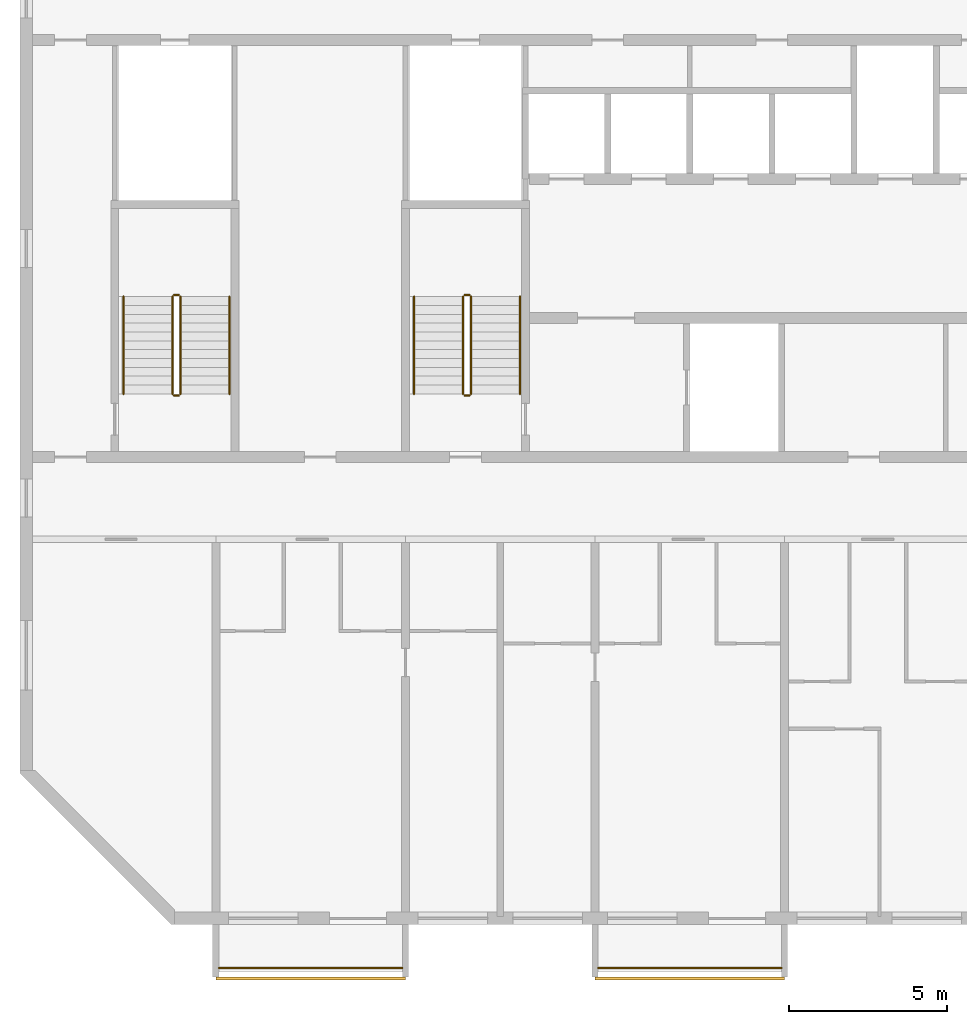
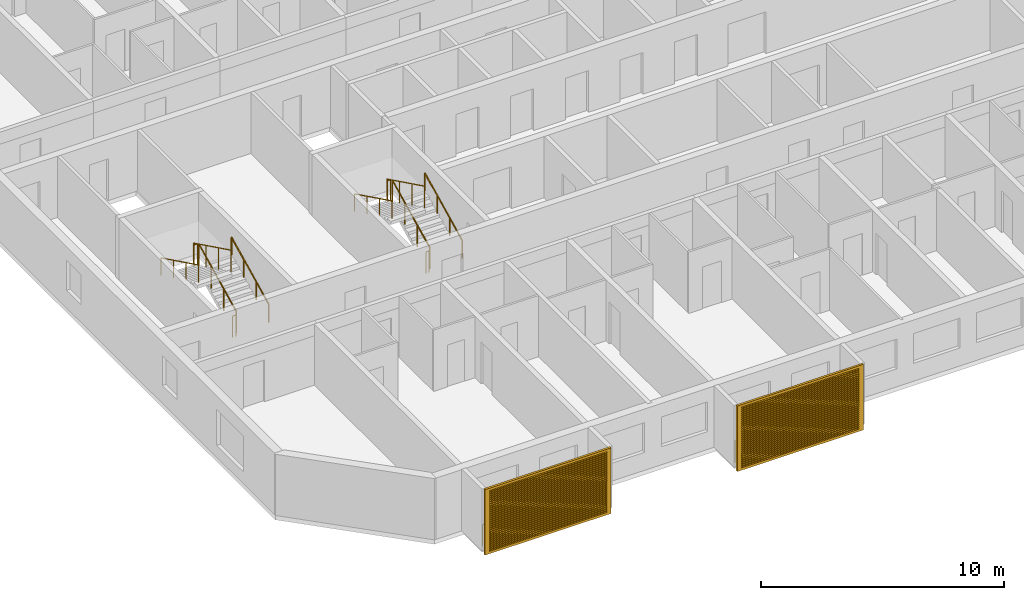
# One storey, part 13 of 26: 14 railings, 2 shading devices.
"""IFC4 building model written with IfcOpenShell, lengths in metres."""

import ifcopenshell
import ifcopenshell.guid

model = None  # the IFC model being written
_history = None  # IfcOwnerHistory: only IFC2X3 demands one
_inside = {}  # id of a spatial element -> (the spatial element, [elements in it])
_under = {}  # id of a project, library or spatial element -> (it, [spatial elements below it])
_declared = {}  # id of a project -> (the project, [libraries it declares])
_typed = {}  # id of a type object -> (the type object, [elements of that type])
_made_of = {}  # id of a material, layer set ... -> (it, [elements and type objects made of it])


def new_model(schema):
    """Start an empty IFC model of exactly this schema.

    Asked for "IFC4X3", IfcOpenShell would pick the latest addendum, in which some entities
    have other attributes; the version numbers below select the first issue.
    IFC2X3 requires an IfcOwnerHistory on every rooted entity: one is made here for all.
    """
    global model, _history
    if schema == "IFC4X3":
        model = ifcopenshell.file(schema_version=(4, 3, 0, 0))
    else:
        model = ifcopenshell.file(schema=schema)
    _inside.clear()
    _under.clear()
    _declared.clear()
    _typed.clear()
    _made_of.clear()
    _history = None
    if model.schema == "IFC2X3":
        org = make("IfcOrganization", Name="unknown")
        user = make(
            "IfcPersonAndOrganization",
            ThePerson=make("IfcPerson", FamilyName="unknown"),
            TheOrganization=org,
        )
        app = make(
            "IfcApplication",
            ApplicationDeveloper=org,
            Version="unknown",
            ApplicationFullName="unknown",
            ApplicationIdentifier="unknown",
        )
        _history = make(
            "IfcOwnerHistory",
            OwningUser=user,
            OwningApplication=app,
            ChangeAction="ADDED",
            CreationDate=0,
        )
    return model


def make(cls, **values):
    """One entity of the class cls with the attributes given. An attribute that is None is left unset."""
    return model.create_entity(
        cls, **{name: value for name, value in values.items() if value is not None}
    )


def rooted(cls, **values):
    """An entity with a GlobalId (a new one), such as an element, a storey or a relation."""
    return make(cls, GlobalId=ifcopenshell.guid.new(), OwnerHistory=_history, **values)


def si_unit(unit_type, name, prefix=None):
    """IfcSIUnit, for example si_unit("LENGTHUNIT", "METRE", prefix="MILLI")."""
    return make("IfcSIUnit", UnitType=unit_type, Prefix=prefix, Name=name)


def assignment(units):
    """IfcUnitAssignment: the units of a project."""
    return None if units is None else make("IfcUnitAssignment", Units=units)


def point(xyz):
    """IfcCartesianPoint."""
    return None if xyz is None else make("IfcCartesianPoint", Coordinates=xyz)


def direction(xyz):
    """IfcDirection."""
    return None if xyz is None else make("IfcDirection", DirectionRatios=xyz)


def frame(location, z_axis=None, x_axis=None):
    """IfcAxis2Placement3D, a coordinate frame: its origin and axes. An axis left out is left unset."""
    return make(
        "IfcAxis2Placement3D",
        Location=point(location),
        Axis=direction(z_axis),
        RefDirection=direction(x_axis),
    )


def frame_2d(location, x_axis=None):
    """IfcAxis2Placement2D, a coordinate frame in the plane: its origin and x axis."""
    return make(
        "IfcAxis2Placement2D", Location=point(location), RefDirection=direction(x_axis)
    )


def origin():
    """The frame at (0, 0, 0) with its axes left unset."""
    return frame((0.0, 0.0, 0.0))


def origin_2d():
    """The frame at (0, 0) in the plane with its x axis left unset."""
    return frame_2d((0.0, 0.0))


def place(relative_to, where):
    """IfcLocalPlacement: puts the frame where relative to a parent placement (None: the world)."""
    return make(
        "IfcLocalPlacement", PlacementRelTo=relative_to, RelativePlacement=where
    )


def context(
    kind, dimensions, precision=None, world=None, true_north=None, identifier=None
):
    """IfcGeometricRepresentationContext, for example the 3D "Model" context."""
    return make(
        "IfcGeometricRepresentationContext",
        ContextIdentifier=identifier,
        ContextType=kind,
        CoordinateSpaceDimension=dimensions,
        Precision=precision,
        WorldCoordinateSystem=world,
        TrueNorth=true_north,
    )


def subcontext(parent, identifier, kind, view, scale=None):
    """IfcGeometricRepresentationSubContext, for example "Body" below "Model"."""
    return make(
        "IfcGeometricRepresentationSubContext",
        ContextIdentifier=identifier,
        ContextType=kind,
        ParentContext=parent,
        TargetScale=scale,
        TargetView=view,
    )


def project(units=None, contexts=None):
    """IfcProject with its units and contexts."""
    return rooted(
        "IfcProject",
        Name="project",
        RepresentationContexts=contexts,
        UnitsInContext=assignment(units),
    )


def spatial(cls, under=None, at=None, **own):
    """A site, building, storey or space (cls), placed at a placement, below another one or the project."""
    s = rooted(cls, ObjectPlacement=at, **own)
    if under is not None:
        _under.setdefault(under.id(), (under, []))[1].append(s)
    return s


def polyline(points):
    """IfcPolyline through the points."""
    return make("IfcPolyline", Points=[point(p) for p in points])


def profile(cls, at=None, kind="AREA", **sizes):
    """A parametric profile (cls). Its sizes go by their IFC names, for example OverallWidth=200.0."""
    return make(cls, ProfileType=kind, Position=at, **sizes)


def circle(**sizes):
    """IfcCircleProfileDef."""
    return profile("IfcCircleProfileDef", **sizes)


def outline(outer, holes=None, kind="AREA"):
    """IfcArbitraryClosedProfileDef: a profile drawn as a closed curve; with holes, ...WithVoids."""
    if holes is None:
        return make("IfcArbitraryClosedProfileDef", ProfileType=kind, OuterCurve=outer)
    return make(
        "IfcArbitraryProfileDefWithVoids",
        ProfileType=kind,
        OuterCurve=outer,
        InnerCurves=holes,
    )


def extrude(swept, where, along, depth):
    """IfcExtrudedAreaSolid: the profile swept, set in the frame where, extruded along a direction by depth."""
    return make(
        "IfcExtrudedAreaSolid",
        SweptArea=swept,
        Position=where,
        ExtrudedDirection=direction(along),
        Depth=depth,
    )


def shape(context_of_items, identifier, shape_type, items):
    """IfcShapeRepresentation: the items that make up one representation, for example the "Body"."""
    return make(
        "IfcShapeRepresentation",
        ContextOfItems=context_of_items,
        RepresentationIdentifier=identifier,
        RepresentationType=shape_type,
        Items=items,
    )


def source(mapping_origin, context_of_items, identifier, shape_type, items):
    """IfcRepresentationMap: a shape defined once, which mapped items show again and again."""
    return make(
        "IfcRepresentationMap",
        MappingOrigin=mapping_origin,
        MappedRepresentation=shape(context_of_items, identifier, shape_type, items),
    )


def transform(
    local_origin,
    x_axis=None,
    y_axis=None,
    z_axis=None,
    scale=None,
    scale2=None,
    scale3=None,
    uniform=True,
):
    """IfcCartesianTransformationOperator3D, or its non-uniform kind. x_axis, y_axis, z_axis: its Axis1, 2, 3."""
    if uniform:
        return make(
            "IfcCartesianTransformationOperator3D",
            Axis1=direction(x_axis),
            Axis2=direction(y_axis),
            LocalOrigin=point(local_origin),
            Scale=scale,
            Axis3=direction(z_axis),
        )
    return make(
        "IfcCartesianTransformationOperator3DnonUniform",
        Axis1=direction(x_axis),
        Axis2=direction(y_axis),
        LocalOrigin=point(local_origin),
        Scale=scale,
        Axis3=direction(z_axis),
        Scale2=scale2,
        Scale3=scale3,
    )


def mapped(mapping_source, mapping_target):
    """IfcMappedItem: shows the shape of a source again, moved by a transform."""
    return make(
        "IfcMappedItem", MappingSource=mapping_source, MappingTarget=mapping_target
    )


def material(Name=None, Category=None):
    """IfcMaterial."""
    return make("IfcMaterial", Name=Name, Category=Category)


def material_profile(
    of_material, cross_section, Name=None, Category=None, Priority=None
):
    """IfcMaterialProfile: a cross section and its material."""
    return make(
        "IfcMaterialProfile",
        Name=Name,
        Material=of_material,
        Profile=cross_section,
        Priority=Priority,
        Category=Category,
    )


def profile_set(profiles, Name=None, composite=None):
    """IfcMaterialProfileSet."""
    return make(
        "IfcMaterialProfileSet",
        Name=Name,
        MaterialProfiles=profiles,
        CompositeProfile=composite,
    )


def made_of(thing, what):
    """Note that an element or type object is made of a material, layer set ...; save() writes the relation."""
    if what is not None:
        _made_of.setdefault(what.id(), (what, []))[1].append(thing)
    return thing


def type_object(cls, material=None, **own):
    """A type object (cls), such as IfcWallType, which elements share."""
    return made_of(rooted(cls, **own), material)


def element(
    cls,
    number,
    at=None,
    inside=None,
    cuts=None,
    type_object=None,
    material=None,
    context=None,
    identifier="Body",
    shape_type=None,
    held_by="IfcProductDefinitionShape",
    body=None,
    shapes=None,
    **own,
):
    """One element of the class cls, such as IfcWall. Its Tag is "e" and its number.

    at: its placement. inside: the storey or other place that contains it. cuts: it is an
    opening in that element (IfcRelVoidsElement). A single representation is given by context,
    identifier, shape_type and body (its items); several are given by shapes. held_by: the class
    of the entity that holds the representations. save() writes the other relations.
    """
    e = rooted(cls, Tag="e%d" % number, ObjectPlacement=at, **own)
    if body is not None:
        shapes = [shape(context, identifier, shape_type, body)]
    if shapes is not None:
        e.Representation = make(held_by, Representations=shapes)
    if inside is not None:
        _inside.setdefault(inside.id(), (inside, []))[1].append(e)
    if cuts is not None:
        rooted(
            "IfcRelVoidsElement", RelatingBuildingElement=cuts, RelatedOpeningElement=e
        )
    if type_object is not None:
        _typed.setdefault(type_object.id(), (type_object, []))[1].append(e)
    return made_of(e, material)


def aggregate(whole, parts):
    """IfcRelAggregates: a whole, such as a stair, and the parts it consists of."""
    return rooted("IfcRelAggregates", RelatingObject=whole, RelatedObjects=parts)


def save(model, path):
    """Write the relations noted so far, then the file.

    IfcRelAggregates (storeys below a building ...), IfcRelContainedInSpatialStructure (elements
    in a storey), IfcRelDefinesByType, IfcRelAssociatesMaterial and IfcRelDeclares: one each for
    every whole, place, type object, material and project.
    """
    for whole, parts in _under.values():
        aggregate(whole, parts)
    for where, things in _inside.values():
        rooted(
            "IfcRelContainedInSpatialStructure",
            RelatedElements=things,
            RelatingStructure=where,
        )
    for kind, things in _typed.values():
        rooted("IfcRelDefinesByType", RelatedObjects=things, RelatingType=kind)
    for what, things in _made_of.values():
        rooted("IfcRelAssociatesMaterial", RelatedObjects=things, RelatingMaterial=what)
    for by, libraries in _declared.values():
        rooted("IfcRelDeclares", RelatingContext=by, RelatedDefinitions=libraries)
    model.write(path)


model = new_model("IFC4")

# Units and contexts
model_context = context("Model", 3, precision=1e-05, world=origin(), true_north=direction((0.0, 1.0)))
body_context = subcontext(model_context, "Body", "Model", "MODEL_VIEW")
ifc_project = project(units=[si_unit("LENGTHUNIT", "METRE"), si_unit("AREAUNIT", "SQUARE_METRE"), si_unit("VOLUMEUNIT", "CUBIC_METRE"), si_unit("PLANEANGLEUNIT", "RADIAN"), si_unit("MASSUNIT", "GRAM", prefix="KILO")], contexts=[model_context])

# Site, building, storey
site_placement = place(None, origin())
site = spatial("IfcSite", under=ifc_project, at=site_placement, CompositionType="ELEMENT")
building_placement = place(site_placement, origin())
building = spatial("IfcBuilding", under=site, at=building_placement, Name="Poui Terraces", CompositionType="ELEMENT")
storey_placement = place(building_placement, frame((0.0, 0.0, 241.199951171875)))
storey = spatial("IfcBuildingStorey", under=building, at=storey_placement, Name="L67", CompositionType="ELEMENT", Elevation=241.199951171875)

# Railings
ifc_material_1 = material(Name="Painted steel fretwork", Category="steel")
railing_type_1 = type_object("IfcRailingType", Name="BALCONY GUARD 1100", PredefinedType="GUARDRAIL", material=ifc_material_1)
for number, where, name in (
    (1, (24.10009765625, -1.570068359375, 0.0), "BALCONY GUARD"),
    (2, (36.10009765625, -1.570068359375, 0.0), "BALCONY GUARD"),
):
    element("IfcRailing", number, at=place(storey_placement, frame(where)), inside=storey, type_object=railing_type_1, Name=name, PredefinedType="GUARDRAIL", context=body_context, shape_type="SweptSolid", body=[
        extrude(circle(Radius=0.02392578125, at=origin_2d()), frame((0.0, 0.0, 1.076171875), z_axis=(1.0, 0.0, 0.0), x_axis=(0.0, 1.0, 0.0)), (0.0, 0.0, 1.0), 5.7998046875),
        extrude(circle(Radius=0.02099609375, at=origin_2d()), origin(), (0.0, 0.0, 1.0), 1.052001953125),
        extrude(circle(Radius=0.02099609375, at=origin_2d()), frame((0.966552734375, 0.0, 0.0)), (0.0, 0.0, 1.0), 1.052001953125),
        extrude(circle(Radius=0.02099609375, at=origin_2d()), frame((1.933349609375, 0.0, 0.0)), (0.0, 0.0, 1.0), 1.052001953125),
        extrude(circle(Radius=0.02099609375, at=origin_2d()), frame((2.89990234375, 0.0, 0.0)), (0.0, 0.0, 1.0), 1.052001953125),
        extrude(circle(Radius=0.02099609375, at=origin_2d()), frame((3.866455078125, 0.0, 0.0)), (0.0, 0.0, 1.0), 1.052001953125),
        extrude(circle(Radius=0.02099609375, at=origin_2d()), frame((4.833251953125, 0.0, 0.0)), (0.0, 0.0, 1.0), 1.052001953125),
        extrude(circle(Radius=0.02099609375, at=origin_2d()), frame((5.7998046875, 0.0, 0.0)), (0.0, 0.0, 1.0), 1.052001953125),
    ])
ifc_material_2 = material(Name="Galvanised steel balustrade", Category="steel")
railing_type_2 = type_object("IfcRailingType", Name="STAIR GUARD 1100", PredefinedType="GUARDRAIL", material=ifc_material_2)
railing_1_placement = place(storey_placement, frame((32.074951171875, 16.60009765625, 0.137451171875)))
element("IfcRailing", 3, at=railing_1_placement, inside=storey, type_object=railing_type_2, Name="L67 ST-CW stair guard 1", PredefinedType="GUARDRAIL", context=body_context, shape_type="SweptSolid", body=[
    extrude(circle(Radius=0.02392578125, at=origin_2d()), frame((0.0, 0.0, 1.076171875), z_axis=(0.0, 0.897578036475, 0.440855609512), x_axis=(-1.0, 0.0, 0.0)), (0.0, 0.0, 1.0), 3.43115234375),
    extrude(circle(Radius=0.02099609375, at=origin_2d()), origin(), (0.0, 0.0, 1.0), 1.052001953125),
    extrude(circle(Radius=0.02099609375, at=origin_2d()), frame((0.0, 1.026611328125, 0.504150390625)), (0.0, 0.0, 1.0), 1.052001953125),
    extrude(circle(Radius=0.02099609375, at=origin_2d()), frame((0.0, 2.05322265625, 1.008544921875)), (0.0, 0.0, 1.0), 1.052001953125),
    extrude(circle(Radius=0.02099609375, at=origin_2d()), frame((0.0, 3.079833984375, 1.5126953125)), (0.0, 0.0, 1.0), 1.052001953125),
])
railing_2_placement = place(storey_placement, frame((32.02490234375, 19.72998046875, 1.650146484375)))
element("IfcRailing", 4, at=railing_2_placement, inside=storey, type_object=railing_type_2, Name="L67 ST-CW stair guard 2", PredefinedType="GUARDRAIL", context=body_context, shape_type="SweptSolid", body=[
    extrude(circle(Radius=0.02392578125, at=origin_2d()), frame((0.0, 0.0, 1.076171875), z_axis=(-1.0, 0.0, 0.0), x_axis=(0.0, -1.0, 0.0)), (0.0, 0.0, 1.0), 0.14990234375),
    extrude(circle(Radius=0.02099609375, at=origin_2d()), origin(), (0.0, 0.0, 1.0), 1.052001953125),
    extrude(circle(Radius=0.02099609375, at=origin_2d()), frame((-0.14990234375, 0.0, 0.0)), (0.0, 0.0, 1.0), 1.052001953125),
])
railing_3_placement = place(storey_placement, frame((31.824951171875, 19.679931640625, 1.78759765625)))
element("IfcRailing", 5, at=railing_3_placement, inside=storey, type_object=railing_type_2, Name="L67 ST-CW stair guard 3", PredefinedType="GUARDRAIL", context=body_context, shape_type="SweptSolid", body=[
    extrude(circle(Radius=0.02392578125, at=origin_2d()), frame((0.0, 0.0, 1.076171875), z_axis=(0.0, -0.897606190399, 0.440798283751), x_axis=(1.0, 0.0, 0.0)), (0.0, 0.0, 1.0), 3.43115234375),
    extrude(circle(Radius=0.02099609375, at=origin_2d()), origin(), (0.0, 0.0, 1.0), 1.052001953125),
    extrude(circle(Radius=0.02099609375, at=origin_2d()), frame((0.0, -1.026611328125, 0.504150390625)), (0.0, 0.0, 1.0), 1.052001953125),
    extrude(circle(Radius=0.02099609375, at=origin_2d()), frame((0.0, -2.05322265625, 1.00830078125)), (0.0, 0.0, 1.0), 1.052001953125),
    extrude(circle(Radius=0.02099609375, at=origin_2d()), frame((0.0, -3.079833984375, 1.512451171875)), (0.0, 0.0, 1.0), 1.052001953125),
])
railing_4_placement = place(storey_placement, frame((32.02490234375, 16.550048828125, 0.0)))
element("IfcRailing", 6, at=railing_4_placement, inside=storey, type_object=railing_type_2, Name="L67 ST-CW stair guard 4", PredefinedType="GUARDRAIL", context=body_context, shape_type="SweptSolid", body=[
    extrude(circle(Radius=0.02392578125, at=origin_2d()), frame((0.0, 0.0, 1.076171875), z_axis=(-1.0, 0.0, 0.0), x_axis=(0.0, -1.0, 0.0)), (0.0, 0.0, 1.0), 0.14990234375),
    extrude(circle(Radius=0.02099609375, at=origin_2d()), origin(), (0.0, 0.0, 1.0), 1.052001953125),
    extrude(circle(Radius=0.02099609375, at=origin_2d()), frame((-0.14990234375, 0.0, 0.0)), (0.0, 0.0, 1.0), 1.052001953125),
])
railing_5_placement = place(storey_placement, frame((22.875, 16.60009765625, 0.137451171875)))
element("IfcRailing", 7, at=railing_5_placement, inside=storey, type_object=railing_type_2, Name="L67 ST-W stair guard 1", PredefinedType="GUARDRAIL", context=body_context, shape_type="SweptSolid", body=[
    extrude(circle(Radius=0.02392578125, at=origin_2d()), frame((0.0, 0.0, 1.076171875), z_axis=(0.0, 0.897578036475, 0.440855609512), x_axis=(-1.0, 0.0, 0.0)), (0.0, 0.0, 1.0), 3.43115234375),
    extrude(circle(Radius=0.02099609375, at=origin_2d()), origin(), (0.0, 0.0, 1.0), 1.052001953125),
    extrude(circle(Radius=0.02099609375, at=origin_2d()), frame((0.0, 1.026611328125, 0.504150390625)), (0.0, 0.0, 1.0), 1.052001953125),
    extrude(circle(Radius=0.02099609375, at=origin_2d()), frame((0.0, 2.05322265625, 1.008544921875)), (0.0, 0.0, 1.0), 1.052001953125),
    extrude(circle(Radius=0.02099609375, at=origin_2d()), frame((0.0, 3.079833984375, 1.5126953125)), (0.0, 0.0, 1.0), 1.052001953125),
])
railing_6_placement = place(storey_placement, frame((22.824951171875, 19.72998046875, 1.650146484375)))
element("IfcRailing", 8, at=railing_6_placement, inside=storey, type_object=railing_type_2, Name="L67 ST-W stair guard 2", PredefinedType="GUARDRAIL", context=body_context, shape_type="SweptSolid", body=[
    extrude(circle(Radius=0.02392578125, at=origin_2d()), frame((0.0, 0.0, 1.076171875), z_axis=(-1.0, 0.0, 0.0), x_axis=(0.0, -1.0, 0.0)), (0.0, 0.0, 1.0), 0.14990234375),
    extrude(circle(Radius=0.02099609375, at=origin_2d()), origin(), (0.0, 0.0, 1.0), 1.052001953125),
    extrude(circle(Radius=0.02099609375, at=origin_2d()), frame((-0.14990234375, 0.0, 0.0)), (0.0, 0.0, 1.0), 1.052001953125),
])
railing_7_placement = place(storey_placement, frame((22.625, 19.679931640625, 1.78759765625)))
element("IfcRailing", 9, at=railing_7_placement, inside=storey, type_object=railing_type_2, Name="L67 ST-W stair guard 3", PredefinedType="GUARDRAIL", context=body_context, shape_type="SweptSolid", body=[
    extrude(circle(Radius=0.02392578125, at=origin_2d()), frame((0.0, 0.0, 1.076171875), z_axis=(0.0, -0.897606190399, 0.440798283751), x_axis=(1.0, 0.0, 0.0)), (0.0, 0.0, 1.0), 3.43115234375),
    extrude(circle(Radius=0.02099609375, at=origin_2d()), origin(), (0.0, 0.0, 1.0), 1.052001953125),
    extrude(circle(Radius=0.02099609375, at=origin_2d()), frame((0.0, -1.026611328125, 0.504150390625)), (0.0, 0.0, 1.0), 1.052001953125),
    extrude(circle(Radius=0.02099609375, at=origin_2d()), frame((0.0, -2.05322265625, 1.00830078125)), (0.0, 0.0, 1.0), 1.052001953125),
    extrude(circle(Radius=0.02099609375, at=origin_2d()), frame((0.0, -3.079833984375, 1.512451171875)), (0.0, 0.0, 1.0), 1.052001953125),
])
railing_8_placement = place(storey_placement, frame((22.824951171875, 16.550048828125, 0.0)))
element("IfcRailing", 10, at=railing_8_placement, inside=storey, type_object=railing_type_2, Name="L67 ST-W stair guard 4", PredefinedType="GUARDRAIL", context=body_context, shape_type="SweptSolid", body=[
    extrude(circle(Radius=0.02392578125, at=origin_2d()), frame((0.0, 0.0, 1.076171875), z_axis=(-1.0, 0.0, 0.0), x_axis=(0.0, -1.0, 0.0)), (0.0, 0.0, 1.0), 0.14990234375),
    extrude(circle(Radius=0.02099609375, at=origin_2d()), origin(), (0.0, 0.0, 1.0), 1.052001953125),
    extrude(circle(Radius=0.02099609375, at=origin_2d()), frame((-0.14990234375, 0.0, 0.0)), (0.0, 0.0, 1.0), 1.052001953125),
])
ifc_material_3 = material(Name="Stainless steel handrail", Category="steel")
railing_type_3 = type_object("IfcRailingType", Name="STAIR HANDRAIL 900", PredefinedType="HANDRAIL", material=ifc_material_3)
railing_9_placement = place(storey_placement, frame((33.625, 16.60009765625, 0.137451171875)))
element("IfcRailing", 11, at=railing_9_placement, inside=storey, type_object=railing_type_3, Name="L67 ST-CW stair handrail 1", PredefinedType="HANDRAIL", context=body_context, shape_type="SweptSolid", body=[
    extrude(circle(Radius=0.02392578125, at=origin_2d()), frame((0.0, 0.0, 0.8759765625), z_axis=(0.0, 0.897578036475, 0.440855609512), x_axis=(-1.0, 0.0, 0.0)), (0.0, 0.0, 1.0), 3.43115234375),
    extrude(circle(Radius=0.02099609375, at=origin_2d()), origin(), (0.0, 0.0, 1.0), 0.851806640625),
    extrude(circle(Radius=0.02099609375, at=origin_2d()), frame((0.0, 1.026611328125, 0.504150390625)), (0.0, 0.0, 1.0), 0.851806640625),
    extrude(circle(Radius=0.02099609375, at=origin_2d()), frame((0.0, 2.05322265625, 1.008544921875)), (0.0, 0.0, 1.0), 0.851806640625),
    extrude(circle(Radius=0.02099609375, at=origin_2d()), frame((0.0, 3.079833984375, 1.5126953125)), (0.0, 0.0, 1.0), 0.851806640625),
])
railing_10_placement = place(storey_placement, frame((30.27490234375, 19.679931640625, 1.78759765625)))
element("IfcRailing", 12, at=railing_10_placement, inside=storey, type_object=railing_type_3, Name="L67 ST-CW stair handrail 2", PredefinedType="HANDRAIL", context=body_context, shape_type="SweptSolid", body=[
    extrude(circle(Radius=0.02392578125, at=origin_2d()), frame((0.0, 0.0, 0.8759765625), z_axis=(0.0, -0.897606190399, 0.440798283751), x_axis=(1.0, 0.0, 0.0)), (0.0, 0.0, 1.0), 3.43115234375),
    extrude(circle(Radius=0.02099609375, at=origin_2d()), origin(), (0.0, 0.0, 1.0), 0.851806640625),
    extrude(circle(Radius=0.02099609375, at=origin_2d()), frame((0.0, -1.026611328125, 0.504150390625)), (0.0, 0.0, 1.0), 0.851806640625),
    extrude(circle(Radius=0.02099609375, at=origin_2d()), frame((0.0, -2.05322265625, 1.00830078125)), (0.0, 0.0, 1.0), 0.851806640625),
    extrude(circle(Radius=0.02099609375, at=origin_2d()), frame((0.0, -3.079833984375, 1.512451171875)), (0.0, 0.0, 1.0), 0.851806640625),
])
railing_11_placement = place(storey_placement, frame((24.425048828125, 16.60009765625, 0.137451171875)))
element("IfcRailing", 13, at=railing_11_placement, inside=storey, type_object=railing_type_3, Name="L67 ST-W stair handrail 1", PredefinedType="HANDRAIL", context=body_context, shape_type="SweptSolid", body=[
    extrude(circle(Radius=0.02392578125, at=origin_2d()), frame((0.0, 0.0, 0.8759765625), z_axis=(0.0, 0.897578036475, 0.440855609512), x_axis=(-1.0, 0.0, 0.0)), (0.0, 0.0, 1.0), 3.43115234375),
    extrude(circle(Radius=0.02099609375, at=origin_2d()), origin(), (0.0, 0.0, 1.0), 0.851806640625),
    extrude(circle(Radius=0.02099609375, at=origin_2d()), frame((0.0, 1.026611328125, 0.504150390625)), (0.0, 0.0, 1.0), 0.851806640625),
    extrude(circle(Radius=0.02099609375, at=origin_2d()), frame((0.0, 2.05322265625, 1.008544921875)), (0.0, 0.0, 1.0), 0.851806640625),
    extrude(circle(Radius=0.02099609375, at=origin_2d()), frame((0.0, 3.079833984375, 1.5126953125)), (0.0, 0.0, 1.0), 0.851806640625),
])
railing_12_placement = place(storey_placement, frame((21.074951171875, 19.679931640625, 1.78759765625)))
element("IfcRailing", 14, at=railing_12_placement, inside=storey, type_object=railing_type_3, Name="L67 ST-W stair handrail 2", PredefinedType="HANDRAIL", context=body_context, shape_type="SweptSolid", body=[
    extrude(circle(Radius=0.02392578125, at=origin_2d()), frame((0.0, 0.0, 0.8759765625), z_axis=(0.0, -0.897606190399, 0.440798283751), x_axis=(1.0, 0.0, 0.0)), (0.0, 0.0, 1.0), 3.43115234375),
    extrude(circle(Radius=0.02099609375, at=origin_2d()), origin(), (0.0, 0.0, 1.0), 0.851806640625),
    extrude(circle(Radius=0.02099609375, at=origin_2d()), frame((0.0, -1.026611328125, 0.504150390625)), (0.0, 0.0, 1.0), 0.851806640625),
    extrude(circle(Radius=0.02099609375, at=origin_2d()), frame((0.0, -2.05322265625, 1.00830078125)), (0.0, 0.0, 1.0), 0.851806640625),
    extrude(circle(Radius=0.02099609375, at=origin_2d()), frame((0.0, -3.079833984375, 1.512451171875)), (0.0, 0.0, 1.0), 0.851806640625),
])

# Shading devices
ifc_material_4 = material(Name="Aluminium louvre", Category="aluminium")
ifc_material_profile = material_profile(ifc_material_4, outline(polyline([(-3.0, -1.64990234375), (3.0, -1.64990234375), (3.0, 1.64990234375), (-3.0, 1.64990234375), (-3.0, -1.64990234375)]), holes=[polyline([(-2.800048828125, -1.530029296875), (2.800048828125, -1.530029296875), (2.800048828125, -1.469970703125), (-2.800048828125, -1.469970703125), (-2.800048828125, -1.530029296875)]), polyline([(-2.800048828125, -1.429931640625), (2.800048828125, -1.429931640625), (2.800048828125, -1.3701171875), (-2.800048828125, -1.3701171875), (-2.800048828125, -1.429931640625)]), polyline([(-2.800048828125, -1.330078125), (2.800048828125, -1.330078125), (2.800048828125, -1.27001953125), (-2.800048828125, -1.27001953125), (-2.800048828125, -1.330078125)]), polyline([(-2.800048828125, -1.22998046875), (2.800048828125, -1.22998046875), (2.800048828125, -1.169921875), (-2.800048828125, -1.169921875), (-2.800048828125, -1.22998046875)]), polyline([(-2.800048828125, -1.1298828125), (2.800048828125, -1.1298828125), (2.800048828125, -1.070068359375), (-2.800048828125, -1.070068359375), (-2.800048828125, -1.1298828125)]), polyline([(-2.800048828125, -1.030029296875), (2.800048828125, -1.030029296875), (2.800048828125, -0.969970703125), (-2.800048828125, -0.969970703125), (-2.800048828125, -1.030029296875)]), polyline([(-2.800048828125, -0.929931640625), (2.800048828125, -0.929931640625), (2.800048828125, -0.8701171875), (-2.800048828125, -0.8701171875), (-2.800048828125, -0.929931640625)]), polyline([(-2.800048828125, -0.830078125), (2.800048828125, -0.830078125), (2.800048828125, -0.77001953125), (-2.800048828125, -0.77001953125), (-2.800048828125, -0.830078125)]), polyline([(-2.800048828125, -0.72998046875), (2.800048828125, -0.72998046875), (2.800048828125, -0.669921875), (-2.800048828125, -0.669921875), (-2.800048828125, -0.72998046875)]), polyline([(-2.800048828125, -0.6298828125), (2.800048828125, -0.6298828125), (2.800048828125, -0.570068359375), (-2.800048828125, -0.570068359375), (-2.800048828125, -0.6298828125)]), polyline([(-2.800048828125, -0.530029296875), (2.800048828125, -0.530029296875), (2.800048828125, -0.469970703125), (-2.800048828125, -0.469970703125), (-2.800048828125, -0.530029296875)]), polyline([(-2.800048828125, -0.429931640625), (2.800048828125, -0.429931640625), (2.800048828125, -0.3701171875), (-2.800048828125, -0.3701171875), (-2.800048828125, -0.429931640625)]), polyline([(-2.800048828125, -0.330078125), (2.800048828125, -0.330078125), (2.800048828125, -0.27001953125), (-2.800048828125, -0.27001953125), (-2.800048828125, -0.330078125)]), polyline([(-2.800048828125, -0.22998046875), (2.800048828125, -0.22998046875), (2.800048828125, -0.169921875), (-2.800048828125, -0.169921875), (-2.800048828125, -0.22998046875)]), polyline([(-2.800048828125, -0.1298828125), (2.800048828125, -0.1298828125), (2.800048828125, -0.070068359375), (-2.800048828125, -0.070068359375), (-2.800048828125, -0.1298828125)]), polyline([(-2.800048828125, -0.030029296875), (2.800048828125, -0.030029296875), (2.800048828125, 0.030029296875), (-2.800048828125, 0.030029296875), (-2.800048828125, -0.030029296875)]), polyline([(-2.800048828125, 0.070068359375), (2.800048828125, 0.070068359375), (2.800048828125, 0.1298828125), (-2.800048828125, 0.1298828125), (-2.800048828125, 0.070068359375)]), polyline([(-2.800048828125, 0.169921875), (2.800048828125, 0.169921875), (2.800048828125, 0.22998046875), (-2.800048828125, 0.22998046875), (-2.800048828125, 0.169921875)]), polyline([(-2.800048828125, 0.27001953125), (2.800048828125, 0.27001953125), (2.800048828125, 0.330078125), (-2.800048828125, 0.330078125), (-2.800048828125, 0.27001953125)]), polyline([(-2.800048828125, 0.3701171875), (2.800048828125, 0.3701171875), (2.800048828125, 0.429931640625), (-2.800048828125, 0.429931640625), (-2.800048828125, 0.3701171875)]), polyline([(-2.800048828125, 0.469970703125), (2.800048828125, 0.469970703125), (2.800048828125, 0.530029296875), (-2.800048828125, 0.530029296875), (-2.800048828125, 0.469970703125)]), polyline([(-2.800048828125, 0.570068359375), (2.800048828125, 0.570068359375), (2.800048828125, 0.6298828125), (-2.800048828125, 0.6298828125), (-2.800048828125, 0.570068359375)]), polyline([(-2.800048828125, 0.669921875), (2.800048828125, 0.669921875), (2.800048828125, 0.72998046875), (-2.800048828125, 0.72998046875), (-2.800048828125, 0.669921875)]), polyline([(-2.800048828125, 0.77001953125), (2.800048828125, 0.77001953125), (2.800048828125, 0.830078125), (-2.800048828125, 0.830078125), (-2.800048828125, 0.77001953125)]), polyline([(-2.800048828125, 0.8701171875), (2.800048828125, 0.8701171875), (2.800048828125, 0.929931640625), (-2.800048828125, 0.929931640625), (-2.800048828125, 0.8701171875)]), polyline([(-2.800048828125, 0.969970703125), (2.800048828125, 0.969970703125), (2.800048828125, 1.030029296875), (-2.800048828125, 1.030029296875), (-2.800048828125, 0.969970703125)]), polyline([(-2.800048828125, 1.070068359375), (2.800048828125, 1.070068359375), (2.800048828125, 1.1298828125), (-2.800048828125, 1.1298828125), (-2.800048828125, 1.070068359375)]), polyline([(-2.800048828125, 1.169921875), (2.800048828125, 1.169921875), (2.800048828125, 1.22998046875), (-2.800048828125, 1.22998046875), (-2.800048828125, 1.169921875)]), polyline([(-2.800048828125, 1.27001953125), (2.800048828125, 1.27001953125), (2.800048828125, 1.330078125), (-2.800048828125, 1.330078125), (-2.800048828125, 1.27001953125)]), polyline([(-2.800048828125, 1.3701171875), (2.800048828125, 1.3701171875), (2.800048828125, 1.429931640625), (-2.800048828125, 1.429931640625), (-2.800048828125, 1.3701171875)]), polyline([(-2.800048828125, 1.469970703125), (2.800048828125, 1.469970703125), (2.800048828125, 1.530029296875), (-2.800048828125, 1.530029296875), (-2.800048828125, 1.469970703125)])]), Name="JALOUSIE LOUVRE SHUTTER 6000X3300")
ifc_profile_set = profile_set([ifc_material_profile], Name="Aluminium louvre")
shading_device_type = type_object("IfcShadingDeviceType", Name="JALOUSIE LOUVRE SHUTTER 6000X3300", PredefinedType="JALOUSIE", material=ifc_profile_set)
shared_shape = source(origin(), body_context, "Body", "SweptSolid", [
    extrude(outline(polyline([(-3.0, -1.64990234375), (3.0, -1.64990234375), (3.0, 1.64990234375), (-3.0, 1.64990234375), (-3.0, -1.64990234375)]), holes=[polyline([(-2.800048828125, -1.530029296875), (2.800048828125, -1.530029296875), (2.800048828125, -1.469970703125), (-2.800048828125, -1.469970703125), (-2.800048828125, -1.530029296875)]), polyline([(-2.800048828125, -1.429931640625), (2.800048828125, -1.429931640625), (2.800048828125, -1.3701171875), (-2.800048828125, -1.3701171875), (-2.800048828125, -1.429931640625)]), polyline([(-2.800048828125, -1.330078125), (2.800048828125, -1.330078125), (2.800048828125, -1.27001953125), (-2.800048828125, -1.27001953125), (-2.800048828125, -1.330078125)]), polyline([(-2.800048828125, -1.22998046875), (2.800048828125, -1.22998046875), (2.800048828125, -1.169921875), (-2.800048828125, -1.169921875), (-2.800048828125, -1.22998046875)]), polyline([(-2.800048828125, -1.1298828125), (2.800048828125, -1.1298828125), (2.800048828125, -1.070068359375), (-2.800048828125, -1.070068359375), (-2.800048828125, -1.1298828125)]), polyline([(-2.800048828125, -1.030029296875), (2.800048828125, -1.030029296875), (2.800048828125, -0.969970703125), (-2.800048828125, -0.969970703125), (-2.800048828125, -1.030029296875)]), polyline([(-2.800048828125, -0.929931640625), (2.800048828125, -0.929931640625), (2.800048828125, -0.8701171875), (-2.800048828125, -0.8701171875), (-2.800048828125, -0.929931640625)]), polyline([(-2.800048828125, -0.830078125), (2.800048828125, -0.830078125), (2.800048828125, -0.77001953125), (-2.800048828125, -0.77001953125), (-2.800048828125, -0.830078125)]), polyline([(-2.800048828125, -0.72998046875), (2.800048828125, -0.72998046875), (2.800048828125, -0.669921875), (-2.800048828125, -0.669921875), (-2.800048828125, -0.72998046875)]), polyline([(-2.800048828125, -0.6298828125), (2.800048828125, -0.6298828125), (2.800048828125, -0.570068359375), (-2.800048828125, -0.570068359375), (-2.800048828125, -0.6298828125)]), polyline([(-2.800048828125, -0.530029296875), (2.800048828125, -0.530029296875), (2.800048828125, -0.469970703125), (-2.800048828125, -0.469970703125), (-2.800048828125, -0.530029296875)]), polyline([(-2.800048828125, -0.429931640625), (2.800048828125, -0.429931640625), (2.800048828125, -0.3701171875), (-2.800048828125, -0.3701171875), (-2.800048828125, -0.429931640625)]), polyline([(-2.800048828125, -0.330078125), (2.800048828125, -0.330078125), (2.800048828125, -0.27001953125), (-2.800048828125, -0.27001953125), (-2.800048828125, -0.330078125)]), polyline([(-2.800048828125, -0.22998046875), (2.800048828125, -0.22998046875), (2.800048828125, -0.169921875), (-2.800048828125, -0.169921875), (-2.800048828125, -0.22998046875)]), polyline([(-2.800048828125, -0.1298828125), (2.800048828125, -0.1298828125), (2.800048828125, -0.070068359375), (-2.800048828125, -0.070068359375), (-2.800048828125, -0.1298828125)]), polyline([(-2.800048828125, -0.030029296875), (2.800048828125, -0.030029296875), (2.800048828125, 0.030029296875), (-2.800048828125, 0.030029296875), (-2.800048828125, -0.030029296875)]), polyline([(-2.800048828125, 0.070068359375), (2.800048828125, 0.070068359375), (2.800048828125, 0.1298828125), (-2.800048828125, 0.1298828125), (-2.800048828125, 0.070068359375)]), polyline([(-2.800048828125, 0.169921875), (2.800048828125, 0.169921875), (2.800048828125, 0.22998046875), (-2.800048828125, 0.22998046875), (-2.800048828125, 0.169921875)]), polyline([(-2.800048828125, 0.27001953125), (2.800048828125, 0.27001953125), (2.800048828125, 0.330078125), (-2.800048828125, 0.330078125), (-2.800048828125, 0.27001953125)]), polyline([(-2.800048828125, 0.3701171875), (2.800048828125, 0.3701171875), (2.800048828125, 0.429931640625), (-2.800048828125, 0.429931640625), (-2.800048828125, 0.3701171875)]), polyline([(-2.800048828125, 0.469970703125), (2.800048828125, 0.469970703125), (2.800048828125, 0.530029296875), (-2.800048828125, 0.530029296875), (-2.800048828125, 0.469970703125)]), polyline([(-2.800048828125, 0.570068359375), (2.800048828125, 0.570068359375), (2.800048828125, 0.6298828125), (-2.800048828125, 0.6298828125), (-2.800048828125, 0.570068359375)]), polyline([(-2.800048828125, 0.669921875), (2.800048828125, 0.669921875), (2.800048828125, 0.72998046875), (-2.800048828125, 0.72998046875), (-2.800048828125, 0.669921875)]), polyline([(-2.800048828125, 0.77001953125), (2.800048828125, 0.77001953125), (2.800048828125, 0.830078125), (-2.800048828125, 0.830078125), (-2.800048828125, 0.77001953125)]), polyline([(-2.800048828125, 0.8701171875), (2.800048828125, 0.8701171875), (2.800048828125, 0.929931640625), (-2.800048828125, 0.929931640625), (-2.800048828125, 0.8701171875)]), polyline([(-2.800048828125, 0.969970703125), (2.800048828125, 0.969970703125), (2.800048828125, 1.030029296875), (-2.800048828125, 1.030029296875), (-2.800048828125, 0.969970703125)]), polyline([(-2.800048828125, 1.070068359375), (2.800048828125, 1.070068359375), (2.800048828125, 1.1298828125), (-2.800048828125, 1.1298828125), (-2.800048828125, 1.070068359375)]), polyline([(-2.800048828125, 1.169921875), (2.800048828125, 1.169921875), (2.800048828125, 1.22998046875), (-2.800048828125, 1.22998046875), (-2.800048828125, 1.169921875)]), polyline([(-2.800048828125, 1.27001953125), (2.800048828125, 1.27001953125), (2.800048828125, 1.330078125), (-2.800048828125, 1.330078125), (-2.800048828125, 1.27001953125)]), polyline([(-2.800048828125, 1.3701171875), (2.800048828125, 1.3701171875), (2.800048828125, 1.429931640625), (-2.800048828125, 1.429931640625), (-2.800048828125, 1.3701171875)]), polyline([(-2.800048828125, 1.469970703125), (2.800048828125, 1.469970703125), (2.800048828125, 1.530029296875), (-2.800048828125, 1.530029296875), (-2.800048828125, 1.469970703125)])]), origin(), (0.0, 0.0, 1.0), 0.099853515625),
])
for number, where, z_axis, x_axis, name in (
    (15, (27.0, -1.85009765625, 1.449951171875), (0.0, -1.0, 0.0), (1.0, 0.0, 0.0), "JALOUSIE LOUVRE SHUTTER"),
    (16, (39.0, -1.85009765625, 1.449951171875), (0.0, -1.0, 0.0), (1.0, 0.0, 0.0), "JALOUSIE LOUVRE SHUTTER"),
):
    element("IfcShadingDevice", number, at=place(storey_placement, frame(where, z_axis=z_axis, x_axis=x_axis)), inside=storey, type_object=shading_device_type, Name=name, PredefinedType="JALOUSIE", context=body_context, shape_type="MappedRepresentation", body=[
        mapped(shared_shape, transform((0.0, 0.0, 0.0))),
    ])

save(model, "model.ifc")
